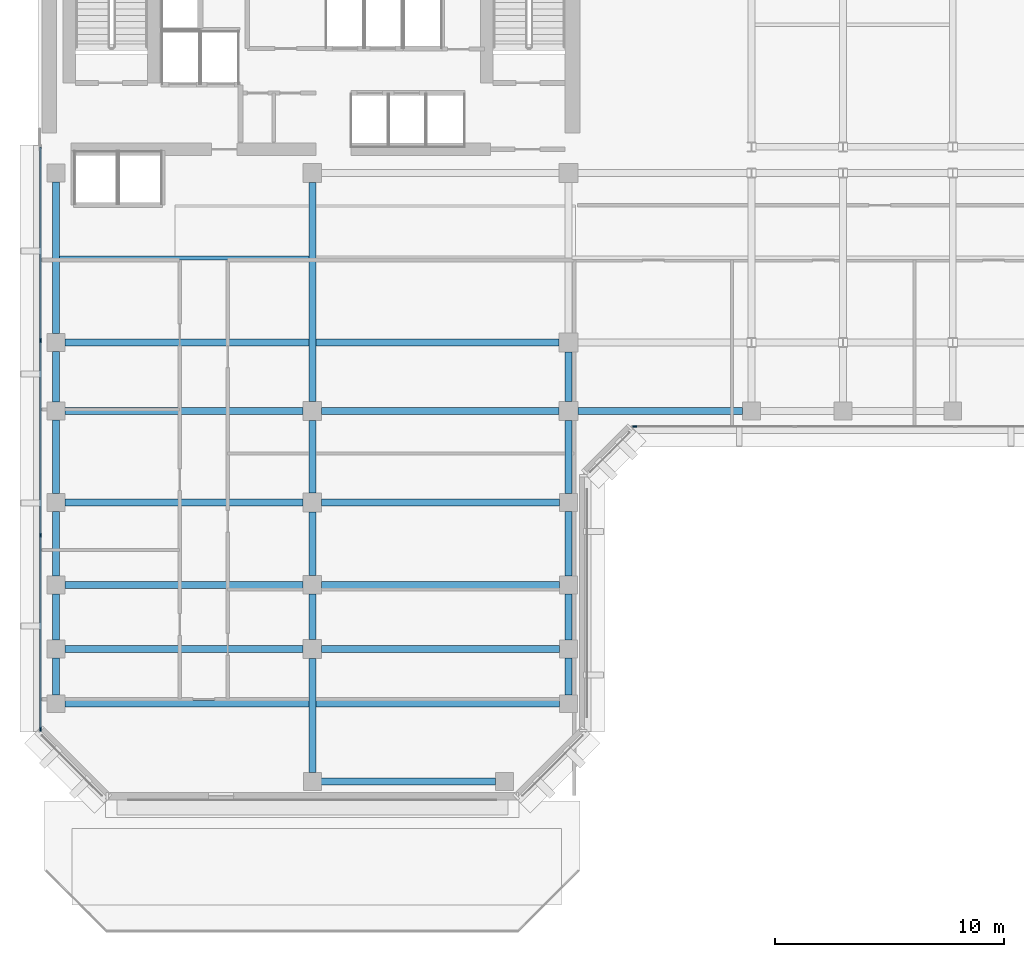
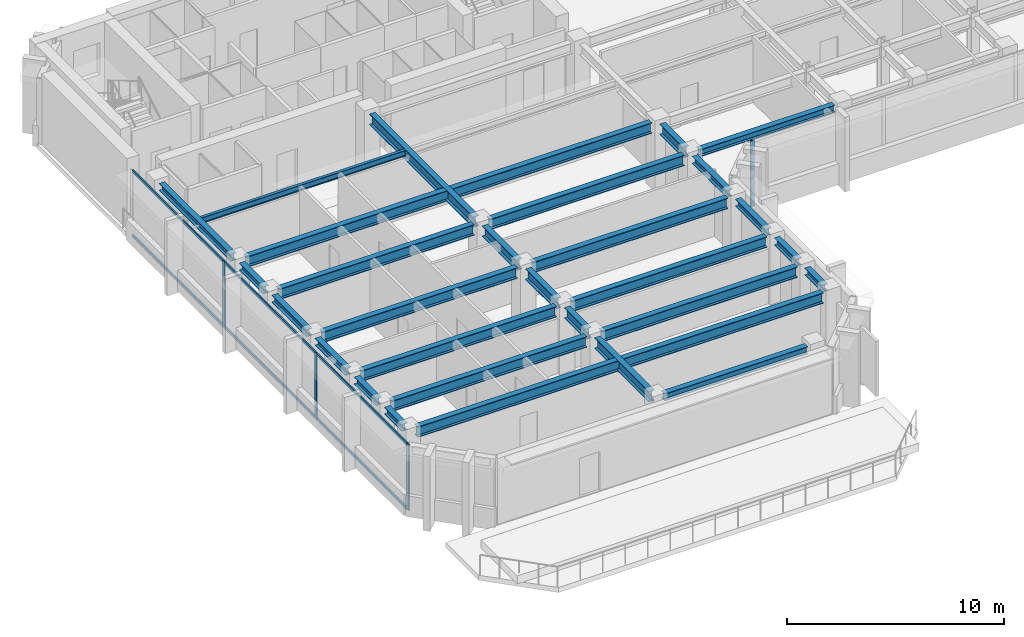
# One storey, part 2 of 11: 29 beams, 10 members, 2 elements without a shape of their own.
"""IFC4 building model written with IfcOpenShell, lengths in metres."""

from ifc_helpers import new_model, si_unit, direction, frame, origin, origin_2d, place, context, subcontext, project, spatial, rectangle, i_section, extrude, material, layer, layer_set, material_profile, profile_set, type_object, element, aggregate, save


model = new_model("IFC4")

# Units and contexts
model_context = context("Model", 3, precision=1e-05, world=origin(), true_north=direction((0.0, 1.0)))
body_context = subcontext(model_context, "Body", "Model", "MODEL_VIEW")
ifc_project = project(units=[si_unit("LENGTHUNIT", "METRE"), si_unit("AREAUNIT", "SQUARE_METRE"), si_unit("VOLUMEUNIT", "CUBIC_METRE"), si_unit("PLANEANGLEUNIT", "RADIAN"), si_unit("MASSUNIT", "GRAM", prefix="KILO")], contexts=[model_context])

# Site, building, storey
site_placement = place(None, origin())
site = spatial("IfcSite", under=ifc_project, at=site_placement, CompositionType="ELEMENT")
building_placement = place(site_placement, origin())
building = spatial("IfcBuilding", under=site, at=building_placement, Name="Kefirva Bronze Tower", CompositionType="ELEMENT")
storey_placement = place(building_placement, frame((0.0, 0.0, 191.39990234375)))
storey = spatial("IfcBuildingStorey", under=building, at=storey_placement, Name="L46", CompositionType="ELEMENT", Elevation=191.39990234375)

# Curtain wall, member
ifc_material_1 = material(Name="Bronze anodised aluminium", Category="aluminium")
ifc_layer = layer(ifc_material_1, 0.179931640625, Name="Bronze anodised aluminium")
ifc_layer_set = layer_set([ifc_layer], Name="Bronze anodised aluminium")
curtain_wall_type = type_object("IfcCurtainWallType", Name="Unitised Bronze Ribbon Curtain Wall Zone 3", PredefinedType="USERDEFINED", material=ifc_layer_set)
curtain_wall_1_placement = place(storey_placement, origin())
curtain_wall_1 = element("IfcCurtainWall", 1, at=curtain_wall_1_placement, inside=storey, type_object=curtain_wall_type, Name="L46 Curtain Wall 1", ObjectType="UNITISED CURTAIN WALL", PredefinedType="USERDEFINED")
ifc_material_profile_1 = material_profile(ifc_material_1, rectangle(XDim=0.074951171875, YDim=0.179931640625, at=origin_2d()), Name="ALU 75x180")
ifc_profile_set_1 = profile_set([ifc_material_profile_1], Name="Bronze anodised aluminium")
member_type_1 = type_object("IfcMemberType", Name="Bronze Mullion 75x180", PredefinedType="MULLION", material=ifc_profile_set_1)
member_1_placement = place(storey_placement, frame((26.092529296875, 22.1201171875, 0.0), z_axis=(0.0, 0.0, 1.0), x_axis=(0.0, 1.0, 0.0)))
member_1 = element("IfcMember", 2, at=member_1_placement, type_object=member_type_1, Name="CW-03 mullion 1", PredefinedType="MULLION", context=body_context, shape_type="SweptSolid", body=[
    extrude(rectangle(XDim=0.074951171875, YDim=0.179931640625, at=origin_2d()), origin(), (0.0, 0.0, 1.0), 3.710205078125),
])
aggregate(curtain_wall_1, [member_1])

# Curtain wall, members
curtain_wall_2_placement = place(storey_placement, origin())
curtain_wall_2 = element("IfcCurtainWall", 3, at=curtain_wall_2_placement, inside=storey, type_object=curtain_wall_type, Name="L46 Curtain Wall 4", ObjectType="UNITISED CURTAIN WALL", PredefinedType="USERDEFINED")
member_2_placement = place(storey_placement, frame((0.1201171875, 25.881591796875, 0.0), z_axis=(0.0, 0.0, 1.0), x_axis=(1.0, 0.0, 0.0)))
member_2 = element("IfcMember", 4, at=member_2_placement, type_object=member_type_1, Name="CW-03 mullion 2", PredefinedType="MULLION", context=body_context, shape_type="SweptSolid", body=[
    extrude(rectangle(XDim=0.074951171875, YDim=0.179931640625, at=origin_2d()), origin(), (0.0, 0.0, 1.0), 3.710205078125),
])
member_3_placement = place(storey_placement, frame((0.1201171875, 17.368408203125, 0.0), z_axis=(0.0, 0.0, 1.0), x_axis=(1.0, 0.0, 0.0)))
member_3 = element("IfcMember", 5, at=member_3_placement, type_object=member_type_1, Name="CW-03 mullion 3", PredefinedType="MULLION", context=body_context, shape_type="SweptSolid", body=[
    extrude(rectangle(XDim=0.074951171875, YDim=0.179931640625, at=origin_2d()), origin(), (0.0, 0.0, 1.0), 3.710205078125),
])
member_4_placement = place(storey_placement, frame((0.1201171875, 8.892578125, 0.0), z_axis=(0.0, 0.0, 1.0), x_axis=(1.0, 0.0, 0.0)))
member_4 = element("IfcMember", 6, at=member_4_placement, type_object=member_type_1, Name="CW-03 mullion 4", PredefinedType="MULLION", context=body_context, shape_type="SweptSolid", body=[
    extrude(rectangle(XDim=0.074951171875, YDim=0.179931640625, at=origin_2d()), origin(), (0.0, 0.0, 1.0), 3.710205078125),
])
ifc_material_profile_2 = material_profile(ifc_material_1, rectangle(XDim=0.074951171875, YDim=0.14990234375, at=origin_2d()), Name="ALU 75x150")
ifc_profile_set_2 = profile_set([ifc_material_profile_2], Name="Bronze anodised aluminium")
member_type_2 = type_object("IfcMemberType", Name="Bronze Transom 75x150", PredefinedType="USERDEFINED", material=ifc_profile_set_2)
member_5_placement = place(storey_placement, frame((0.1201171875, 34.320068359375, 0.03759765625), z_axis=(0.0, -1.0, 0.0), x_axis=(1.0, 0.0, 0.0)))
member_5 = element("IfcMember", 7, at=member_5_placement, type_object=member_type_2, Name="CW-03 transom 1.1", ObjectType="TRANSOM", PredefinedType="USERDEFINED", context=body_context, shape_type="SweptSolid", body=[
    extrude(rectangle(XDim=0.074951171875, YDim=0.14990234375, at=origin_2d()), origin(), (0.0, 0.0, 1.0), 8.40087890625),
])
member_6_placement = place(storey_placement, frame((0.1201171875, 34.320068359375, 3.672607421875), z_axis=(0.0, -1.0, 0.0), x_axis=(1.0, 0.0, 0.0)))
member_6 = element("IfcMember", 8, at=member_6_placement, type_object=member_type_2, Name="CW-03 transom 1.2", ObjectType="TRANSOM", PredefinedType="USERDEFINED", context=body_context, shape_type="SweptSolid", body=[
    extrude(rectangle(XDim=0.074951171875, YDim=0.14990234375, at=origin_2d()), origin(), (0.0, 0.0, 1.0), 8.40087890625),
])
member_7_placement = place(storey_placement, frame((0.1201171875, 25.84423828125, 0.03759765625), z_axis=(0.0, -1.0, 0.0), x_axis=(1.0, 0.0, 0.0)))
member_7 = element("IfcMember", 9, at=member_7_placement, type_object=member_type_2, Name="CW-03 transom 2.1", ObjectType="TRANSOM", PredefinedType="USERDEFINED", context=body_context, shape_type="SweptSolid", body=[
    extrude(rectangle(XDim=0.074951171875, YDim=0.14990234375, at=origin_2d()), origin(), (0.0, 0.0, 1.0), 8.4384765625),
])
member_8_placement = place(storey_placement, frame((0.1201171875, 25.84423828125, 3.672607421875), z_axis=(0.0, -1.0, 0.0), x_axis=(1.0, 0.0, 0.0)))
member_8 = element("IfcMember", 10, at=member_8_placement, type_object=member_type_2, Name="CW-03 transom 2.2", ObjectType="TRANSOM", PredefinedType="USERDEFINED", context=body_context, shape_type="SweptSolid", body=[
    extrude(rectangle(XDim=0.074951171875, YDim=0.14990234375, at=origin_2d()), origin(), (0.0, 0.0, 1.0), 8.4384765625),
])
member_9_placement = place(storey_placement, frame((0.1201171875, 17.330810546875, 0.03759765625), z_axis=(0.0, -1.0, 0.0), x_axis=(1.0, 0.0, 0.0)))
member_9 = element("IfcMember", 11, at=member_9_placement, type_object=member_type_2, Name="CW-03 transom 3.1", ObjectType="TRANSOM", PredefinedType="USERDEFINED", context=body_context, shape_type="SweptSolid", body=[
    extrude(rectangle(XDim=0.074951171875, YDim=0.14990234375, at=origin_2d()), origin(), (0.0, 0.0, 1.0), 8.40087890625),
])
member_10_placement = place(storey_placement, frame((0.1201171875, 17.330810546875, 3.672607421875), z_axis=(0.0, -1.0, 0.0), x_axis=(1.0, 0.0, 0.0)))
member_10 = element("IfcMember", 12, at=member_10_placement, type_object=member_type_2, Name="CW-03 transom 3.2", ObjectType="TRANSOM", PredefinedType="USERDEFINED", context=body_context, shape_type="SweptSolid", body=[
    extrude(rectangle(XDim=0.074951171875, YDim=0.14990234375, at=origin_2d()), origin(), (0.0, 0.0, 1.0), 8.40087890625),
])
aggregate(curtain_wall_2, [member_2, member_3, member_4, member_5, member_6, member_7, member_8, member_9, member_10])

# Beams
ifc_material_2 = material(Name="Steel S355", Category="steel")
ifc_material_profile_3 = material_profile(ifc_material_2, i_section(OverallWidth=0.159912109375, OverallDepth=0.330078125, WebThickness=0.007568359375, FlangeThickness=0.011474609375, at=origin_2d()), Name="IPE 330")
ifc_profile_set_3 = profile_set([ifc_material_profile_3], Name="Steel S355")
beam_type_1 = type_object("IfcBeamType", Name="Steel Floor Joist IPE 330", PredefinedType="JOIST", material=ifc_profile_set_3)
beam_1_placement = place(storey_placement, frame((0.949951171875, 29.489990234375, 3.545166015625), z_axis=(1.0, 0.0, 0.0), x_axis=(0.0, 1.0, 0.0)))
element("IfcBeam", 13, at=beam_1_placement, inside=storey, type_object=beam_type_1, Name="L46 JST-L46-0-294", PredefinedType="JOIST", context=body_context, shape_type="SweptSolid", body=[
    extrude(i_section(OverallWidth=0.159912109375, OverallDepth=0.330078125, WebThickness=0.007568359375, FlangeThickness=0.011474609375, at=origin_2d()), origin(), (0.0, 0.0, 1.0), 10.900146484375),
])
ifc_material_profile_4 = material_profile(ifc_material_2, i_section(OverallWidth=0.300048828125, OverallDepth=0.60009765625, WebThickness=0.015380859375, FlangeThickness=0.030029296875, at=origin_2d()), Name="HEB 600")
ifc_profile_set_4 = profile_set([ifc_material_profile_4], Name="Steel S355")
beam_type_2 = type_object("IfcBeamType", Name="Steel Girder HEB 600", PredefinedType="USERDEFINED", material=ifc_profile_set_4)
beam_2_placement = place(storey_placement, frame((1.18994140625, 10.0, 3.41015625), z_axis=(1.0, 0.0, 0.0), x_axis=(0.0, 1.0, 0.0)))
element("IfcBeam", 14, at=beam_2_placement, inside=storey, type_object=beam_type_2, Name="L46 BM-L46-EW-0-100", ObjectType="GIRDER", PredefinedType="USERDEFINED", context=body_context, shape_type="SweptSolid", body=[
    extrude(i_section(OverallWidth=0.300048828125, OverallDepth=0.60009765625, WebThickness=0.015380859375, FlangeThickness=0.030029296875, at=origin_2d()), origin(), (0.0, 0.0, 1.0), 21.6201171875),
])
for number, where, z_axis, x_axis, name in (
    (15, (1.18994140625, 12.39990234375, 3.41015625), (1.0, 0.0, 0.0), (0.0, 1.0, 0.0), "L46 BM-L46-EW-0-124"),
    (16, (12.409912109375, 12.39990234375, 3.41015625), (1.0, 0.0, 0.0), (0.0, 1.0, 0.0), "L46 BM-L46-EW-12-124"),
    (17, (1.18994140625, 15.199951171875, 3.41015625), (1.0, 0.0, 0.0), (0.0, 1.0, 0.0), "L46 BM-L46-EW-0-152"),
    (18, (12.409912109375, 15.199951171875, 3.41015625), (1.0, 0.0, 0.0), (0.0, 1.0, 0.0), "L46 BM-L46-EW-12-152"),
    (19, (1.18994140625, 18.800048828125, 3.41015625), (1.0, 0.0, 0.0), (0.0, 1.0, 0.0), "L46 BM-L46-EW-0-188"),
    (20, (12.409912109375, 18.800048828125, 3.41015625), (1.0, 0.0, 0.0), (0.0, 1.0, 0.0), "L46 BM-L46-EW-12-188"),
    (21, (1.18994140625, 22.800048828125, 3.41015625), (1.0, 0.0, 0.0), (0.0, 1.0, 0.0), "L46 BM-L46-EW-0-228"),
):
    element("IfcBeam", number, at=place(storey_placement, frame(where, z_axis=z_axis, x_axis=x_axis)), inside=storey, type_object=beam_type_2, Name=name, ObjectType="GIRDER", PredefinedType="USERDEFINED", context=body_context, shape_type="SweptSolid", body=[
        extrude(i_section(OverallWidth=0.300048828125, OverallDepth=0.60009765625, WebThickness=0.015380859375, FlangeThickness=0.030029296875, at=origin_2d()), origin(), (0.0, 0.0, 1.0), 10.400146484375),
    ])
beam_3_placement = place(storey_placement, frame((12.409912109375, 22.800048828125, 3.41015625), z_axis=(1.0, 0.0, 0.0), x_axis=(0.0, 1.0, 0.0)))
element("IfcBeam", 22, at=beam_3_placement, inside=storey, type_object=beam_type_2, Name="L46 BM-L46-EW-12-228", ObjectType="GIRDER", PredefinedType="USERDEFINED", context=body_context, shape_type="SweptSolid", body=[
    extrude(i_section(OverallWidth=0.300048828125, OverallDepth=0.60009765625, WebThickness=0.015380859375, FlangeThickness=0.030029296875, at=origin_2d()), origin(), (0.0, 0.0, 1.0), 10.380126953125),
])
beam_4_placement = place(storey_placement, frame((1.18994140625, 25.800048828125, 3.41015625), z_axis=(1.0, 0.0, 0.0), x_axis=(0.0, 1.0, 0.0)))
element("IfcBeam", 23, at=beam_4_placement, inside=storey, type_object=beam_type_2, Name="L46 BM-L46-EW-0-258", ObjectType="GIRDER", PredefinedType="USERDEFINED", context=body_context, shape_type="SweptSolid", body=[
    extrude(i_section(OverallWidth=0.300048828125, OverallDepth=0.60009765625, WebThickness=0.015380859375, FlangeThickness=0.030029296875, at=origin_2d()), origin(), (0.0, 0.0, 1.0), 21.60009765625),
])
beam_5_placement = place(storey_placement, frame((12.0, 6.989990234375, 3.41015625), z_axis=(0.0, 1.0, 0.0), x_axis=(-1.0, 0.0, 0.0)))
element("IfcBeam", 24, at=beam_5_placement, inside=storey, type_object=beam_type_2, Name="L46 BM-L46-NS-120-6", ObjectType="GIRDER", PredefinedType="USERDEFINED", context=body_context, shape_type="SweptSolid", body=[
    extrude(i_section(OverallWidth=0.300048828125, OverallDepth=0.60009765625, WebThickness=0.015380859375, FlangeThickness=0.030029296875, at=origin_2d()), origin(), (0.0, 0.0, 1.0), 5.0),
])
beam_6_placement = place(storey_placement, frame((12.0, 12.81005859375, 3.41015625), z_axis=(0.0, 1.0, 0.0), x_axis=(-1.0, 0.0, 0.0)))
element("IfcBeam", 25, at=beam_6_placement, inside=storey, type_object=beam_type_2, Name="L46 BM-L46-NS-120-12", ObjectType="GIRDER", PredefinedType="USERDEFINED", context=body_context, shape_type="SweptSolid", body=[
    extrude(i_section(OverallWidth=0.300048828125, OverallDepth=0.60009765625, WebThickness=0.015380859375, FlangeThickness=0.030029296875, at=origin_2d()), origin(), (0.0, 0.0, 1.0), 1.97998046875),
])
beam_7_placement = place(storey_placement, frame((12.0, 15.610107421875, 3.41015625), z_axis=(0.0, 1.0, 0.0), x_axis=(-1.0, 0.0, 0.0)))
element("IfcBeam", 26, at=beam_7_placement, inside=storey, type_object=beam_type_2, Name="L46 BM-L46-NS-120-15", ObjectType="GIRDER", PredefinedType="USERDEFINED", context=body_context, shape_type="SweptSolid", body=[
    extrude(i_section(OverallWidth=0.300048828125, OverallDepth=0.60009765625, WebThickness=0.015380859375, FlangeThickness=0.030029296875, at=origin_2d()), origin(), (0.0, 0.0, 1.0), 2.77978515625),
])
beam_8_placement = place(storey_placement, frame((12.0, 19.2099609375, 3.41015625), z_axis=(0.0, 1.0, 0.0), x_axis=(-1.0, 0.0, 0.0)))
element("IfcBeam", 27, at=beam_8_placement, inside=storey, type_object=beam_type_2, Name="L46 BM-L46-NS-120-18", ObjectType="GIRDER", PredefinedType="USERDEFINED", context=body_context, shape_type="SweptSolid", body=[
    extrude(i_section(OverallWidth=0.300048828125, OverallDepth=0.60009765625, WebThickness=0.015380859375, FlangeThickness=0.030029296875, at=origin_2d()), origin(), (0.0, 0.0, 1.0), 3.179931640625),
])
beam_9_placement = place(storey_placement, frame((12.0, 23.2099609375, 3.41015625), z_axis=(0.0, 1.0, 0.0), x_axis=(-1.0, 0.0, 0.0)))
element("IfcBeam", 28, at=beam_9_placement, inside=storey, type_object=beam_type_2, Name="L46 BM-L46-NS-120-22", ObjectType="GIRDER", PredefinedType="USERDEFINED", context=body_context, shape_type="SweptSolid", body=[
    extrude(i_section(OverallWidth=0.300048828125, OverallDepth=0.60009765625, WebThickness=0.015380859375, FlangeThickness=0.030029296875, at=origin_2d()), origin(), (0.0, 0.0, 1.0), 9.580078125),
])
beam_10_placement = place(storey_placement, frame((23.199951171875, 23.2099609375, 3.41015625), z_axis=(0.0, 1.0, 0.0), x_axis=(-1.0, 0.0, 0.0)))
element("IfcBeam", 29, at=beam_10_placement, inside=storey, type_object=beam_type_2, Name="L46 BM-L46-NS-232-22", ObjectType="GIRDER", PredefinedType="USERDEFINED", context=body_context, shape_type="SweptSolid", body=[
    extrude(i_section(OverallWidth=0.300048828125, OverallDepth=0.60009765625, WebThickness=0.015380859375, FlangeThickness=0.030029296875, at=origin_2d()), origin(), (0.0, 0.0, 1.0), 2.179931640625),
])
ifc_material_profile_5 = material_profile(ifc_material_2, i_section(OverallWidth=0.300048828125, OverallDepth=0.39990234375, WebThickness=0.013427734375, FlangeThickness=0.02392578125, at=origin_2d()), Name="HEB 400")
ifc_profile_set_5 = profile_set([ifc_material_profile_5], Name="Steel S355")
beam_type_3 = type_object("IfcBeamType", Name="Steel Spandrel HEB 400 Ext", PredefinedType="SPANDREL", material=ifc_profile_set_5)
beam_11_placement = place(storey_placement, frame((12.389892578125, 6.60009765625, 3.510009765625), z_axis=(1.0, 0.0, 0.0), x_axis=(0.0, 1.0, 0.0)))
element("IfcBeam", 30, at=beam_11_placement, inside=storey, type_object=beam_type_3, Name="L46 BM-L46-EW-12-66", PredefinedType="SPANDREL", context=body_context, shape_type="SweptSolid", body=[
    extrude(i_section(OverallWidth=0.300048828125, OverallDepth=0.39990234375, WebThickness=0.013427734375, FlangeThickness=0.02392578125, at=origin_2d()), origin(), (0.0, 0.0, 1.0), 7.6201171875),
])
beam_12_placement = place(storey_placement, frame((23.610107421875, 22.800048828125, 3.510009765625), z_axis=(1.0, 0.0, 0.0), x_axis=(0.0, 1.0, 0.0)))
element("IfcBeam", 31, at=beam_12_placement, inside=storey, type_object=beam_type_3, Name="L46 BM-L46-EW-23-228", PredefinedType="SPANDREL", context=body_context, shape_type="SweptSolid", body=[
    extrude(i_section(OverallWidth=0.300048828125, OverallDepth=0.39990234375, WebThickness=0.013427734375, FlangeThickness=0.02392578125, at=origin_2d()), origin(), (0.0, 0.0, 1.0), 7.199951171875),
])
beam_13_placement = place(storey_placement, frame((0.800048828125, 10.389892578125, 3.510009765625), z_axis=(0.0, 1.0, 0.0), x_axis=(-1.0, 0.0, 0.0)))
element("IfcBeam", 32, at=beam_13_placement, inside=storey, type_object=beam_type_3, Name="L46 BM-L46-NS-8-10", PredefinedType="SPANDREL", context=body_context, shape_type="SweptSolid", body=[
    extrude(i_section(OverallWidth=0.300048828125, OverallDepth=0.39990234375, WebThickness=0.013427734375, FlangeThickness=0.02392578125, at=origin_2d()), origin(), (0.0, 0.0, 1.0), 1.6201171875),
])
beam_14_placement = place(storey_placement, frame((0.800048828125, 12.7900390625, 3.510009765625), z_axis=(0.0, 1.0, 0.0), x_axis=(-1.0, 0.0, 0.0)))
element("IfcBeam", 33, at=beam_14_placement, inside=storey, type_object=beam_type_3, Name="L46 BM-L46-NS-8-12", PredefinedType="SPANDREL", context=body_context, shape_type="SweptSolid", body=[
    extrude(i_section(OverallWidth=0.300048828125, OverallDepth=0.39990234375, WebThickness=0.013427734375, FlangeThickness=0.02392578125, at=origin_2d()), origin(), (0.0, 0.0, 1.0), 2.02001953125),
])
beam_15_placement = place(storey_placement, frame((0.800048828125, 15.590087890625, 3.510009765625), z_axis=(0.0, 1.0, 0.0), x_axis=(-1.0, 0.0, 0.0)))
element("IfcBeam", 34, at=beam_15_placement, inside=storey, type_object=beam_type_3, Name="L46 BM-L46-NS-8-15", PredefinedType="SPANDREL", context=body_context, shape_type="SweptSolid", body=[
    extrude(i_section(OverallWidth=0.300048828125, OverallDepth=0.39990234375, WebThickness=0.013427734375, FlangeThickness=0.02392578125, at=origin_2d()), origin(), (0.0, 0.0, 1.0), 2.81982421875),
])
beam_16_placement = place(storey_placement, frame((0.800048828125, 19.18994140625, 3.510009765625), z_axis=(0.0, 1.0, 0.0), x_axis=(-1.0, 0.0, 0.0)))
element("IfcBeam", 35, at=beam_16_placement, inside=storey, type_object=beam_type_3, Name="L46 BM-L46-NS-8-18", PredefinedType="SPANDREL", context=body_context, shape_type="SweptSolid", body=[
    extrude(i_section(OverallWidth=0.300048828125, OverallDepth=0.39990234375, WebThickness=0.013427734375, FlangeThickness=0.02392578125, at=origin_2d()), origin(), (0.0, 0.0, 1.0), 3.219970703125),
])
beam_17_placement = place(storey_placement, frame((0.800048828125, 23.18994140625, 3.510009765625), z_axis=(0.0, 1.0, 0.0), x_axis=(-1.0, 0.0, 0.0)))
element("IfcBeam", 36, at=beam_17_placement, inside=storey, type_object=beam_type_3, Name="L46 BM-L46-NS-8-22", PredefinedType="SPANDREL", context=body_context, shape_type="SweptSolid", body=[
    extrude(i_section(OverallWidth=0.300048828125, OverallDepth=0.39990234375, WebThickness=0.013427734375, FlangeThickness=0.02392578125, at=origin_2d()), origin(), (0.0, 0.0, 1.0), 2.219970703125),
])
beam_18_placement = place(storey_placement, frame((0.800048828125, 26.18994140625, 3.510009765625), z_axis=(0.0, 1.0, 0.0), x_axis=(-1.0, 0.0, 0.0)))
element("IfcBeam", 37, at=beam_18_placement, inside=storey, type_object=beam_type_3, Name="L46 BM-L46-NS-8-25", PredefinedType="SPANDREL", context=body_context, shape_type="SweptSolid", body=[
    extrude(i_section(OverallWidth=0.300048828125, OverallDepth=0.39990234375, WebThickness=0.013427734375, FlangeThickness=0.02392578125, at=origin_2d()), origin(), (0.0, 0.0, 1.0), 6.6201171875),
])
beam_19_placement = place(storey_placement, frame((23.199951171875, 10.389892578125, 3.510009765625), z_axis=(0.0, 1.0, 0.0), x_axis=(-1.0, 0.0, 0.0)))
element("IfcBeam", 38, at=beam_19_placement, inside=storey, type_object=beam_type_3, Name="L46 BM-L46-NS-232-10", PredefinedType="SPANDREL", context=body_context, shape_type="SweptSolid", body=[
    extrude(i_section(OverallWidth=0.300048828125, OverallDepth=0.39990234375, WebThickness=0.013427734375, FlangeThickness=0.02392578125, at=origin_2d()), origin(), (0.0, 0.0, 1.0), 1.6201171875),
])
beam_20_placement = place(storey_placement, frame((23.199951171875, 12.7900390625, 3.510009765625), z_axis=(0.0, 1.0, 0.0), x_axis=(-1.0, 0.0, 0.0)))
element("IfcBeam", 39, at=beam_20_placement, inside=storey, type_object=beam_type_3, Name="L46 BM-L46-NS-232-12", PredefinedType="SPANDREL", context=body_context, shape_type="SweptSolid", body=[
    extrude(i_section(OverallWidth=0.300048828125, OverallDepth=0.39990234375, WebThickness=0.013427734375, FlangeThickness=0.02392578125, at=origin_2d()), origin(), (0.0, 0.0, 1.0), 2.02001953125),
])
beam_21_placement = place(storey_placement, frame((23.199951171875, 15.590087890625, 3.510009765625), z_axis=(0.0, 1.0, 0.0), x_axis=(-1.0, 0.0, 0.0)))
element("IfcBeam", 40, at=beam_21_placement, inside=storey, type_object=beam_type_3, Name="L46 BM-L46-NS-232-15", PredefinedType="SPANDREL", context=body_context, shape_type="SweptSolid", body=[
    extrude(i_section(OverallWidth=0.300048828125, OverallDepth=0.39990234375, WebThickness=0.013427734375, FlangeThickness=0.02392578125, at=origin_2d()), origin(), (0.0, 0.0, 1.0), 2.81982421875),
])
beam_22_placement = place(storey_placement, frame((23.199951171875, 19.18994140625, 3.510009765625), z_axis=(0.0, 1.0, 0.0), x_axis=(-1.0, 0.0, 0.0)))
element("IfcBeam", 41, at=beam_22_placement, inside=storey, type_object=beam_type_3, Name="L46 BM-L46-NS-232-18", PredefinedType="SPANDREL", context=body_context, shape_type="SweptSolid", body=[
    extrude(i_section(OverallWidth=0.300048828125, OverallDepth=0.39990234375, WebThickness=0.013427734375, FlangeThickness=0.02392578125, at=origin_2d()), origin(), (0.0, 0.0, 1.0), 3.199951171875),
])

save(model, "model.ifc")
